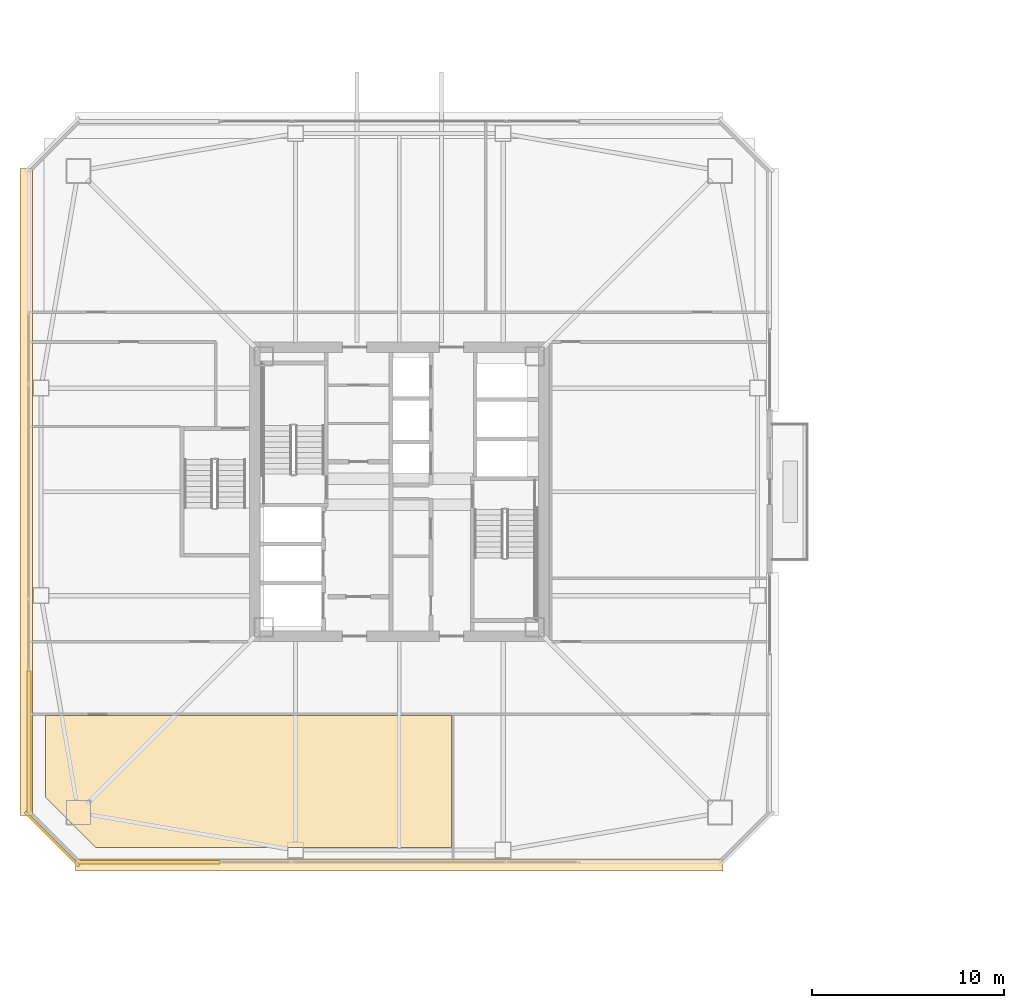
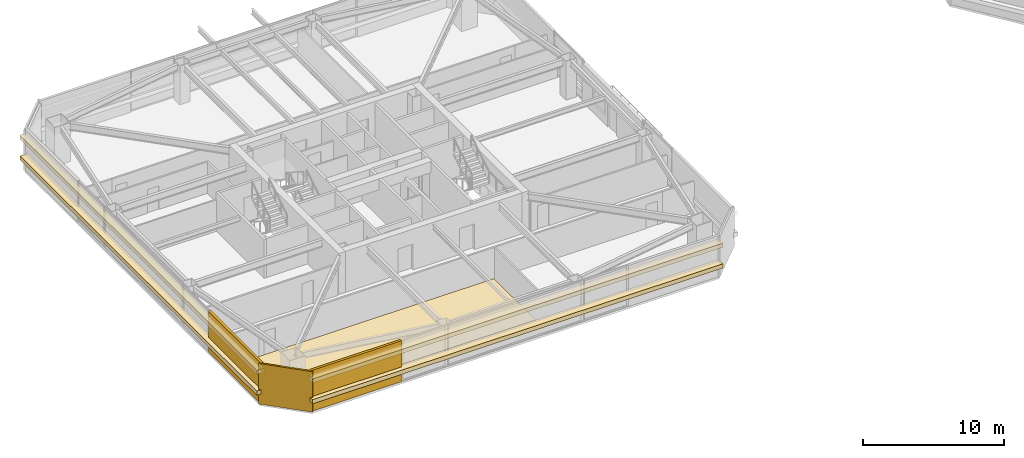
# One storey, part 35 of 40: 8 coverings.
"""IFC4 building model written with IfcOpenShell, lengths in metres."""

from ifc_helpers import new_model, si_unit, direction, frame, origin, origin_2d, place, context, subcontext, project, spatial, polyline, rectangle, outline, extrude, material, layer, layer_set, type_object, element, save


model = new_model("IFC4")

# Units and contexts
model_context = context("Model", 3, precision=1e-05, world=origin(), true_north=direction((0.0, 1.0)))
body_context = subcontext(model_context, "Body", "Model", "MODEL_VIEW")
ifc_project = project(units=[si_unit("LENGTHUNIT", "METRE"), si_unit("AREAUNIT", "SQUARE_METRE"), si_unit("VOLUMEUNIT", "CUBIC_METRE"), si_unit("PLANEANGLEUNIT", "RADIAN"), si_unit("MASSUNIT", "GRAM", prefix="KILO")], contexts=[model_context])

# Site, building, storey
site_placement = place(None, origin())
site = spatial("IfcSite", under=ifc_project, at=site_placement, CompositionType="ELEMENT")
building_placement = place(site_placement, origin())
building = spatial("IfcBuilding", under=site, at=building_placement, Name="Tashvorn Skyway Center", CompositionType="ELEMENT")
storey_placement = place(building_placement, frame((0.0, 0.0, 142.800048828125)))
storey = spatial("IfcBuildingStorey", under=building, at=storey_placement, Name="L38", CompositionType="ELEMENT", Elevation=142.800048828125)

# Coverings
ifc_material_1 = material(Name="Precast concrete C40/50", Category="concrete")
ifc_layer_1 = layer(ifc_material_1, 0.199951171875)
ifc_layer_set_1 = layer_set([ifc_layer_1], Name="Precast concrete C40/50")
covering_type_1 = type_object("IfcCoveringType", Name="COV-BRACE-CLAD", PredefinedType="CLADDING", material=ifc_layer_set_1)
for number, where, z_axis, x_axis, name in (
    (1, (28.948974609375, 12.719970703125, 0.0), (0.0, 0.0, 1.0), (-1.0, 0.0, 0.0), "Tower 1 L38 South Unitised Curtain Wall Mega-Brace Cladding Band 2"),
    (2, (22.719970703125, 18.948974609375, 0.0), (0.0, 0.0, 1.0), (0.0, 1.0, 0.0), "Tower 1 L38 West Unitised Curtain Wall Mega-Brace Cladding Band 1"),
):
    element("IfcCovering", number, at=place(storey_placement, frame(where, z_axis=z_axis, x_axis=x_axis)), inside=storey, type_object=covering_type_1, Name=name, PredefinedType="CLADDING", context=body_context, shape_type="SweptSolid", body=[
        extrude(rectangle(XDim=7.457763671875, YDim=0.199951171875, at=origin_2d()), origin(), (0.0, 0.0, 1.0), 3.550048828125),
    ])
ifc_material_2 = material(Name="Polished Mojave desert-aggregate terrazzo and cover plate")
ifc_layer_2 = layer(ifc_material_2, 0.0400390625)
ifc_layer_set_2 = layer_set([ifc_layer_2], Name="Polished Mojave desert-aggregate terrazzo and cover plate")
covering_type_2 = type_object("IfcCoveringType", Name="COV-FLR-40", PredefinedType="FLOORING", material=ifc_layer_set_2)
covering_1_placement = place(storey_placement, origin())
element("IfcCovering", 3, at=covering_1_placement, inside=storey, type_object=covering_type_2, Name="Tower 1 L38 Wellness Clinic Finish Flooring", PredefinedType="FLOORING", context=body_context, shape_type="SweptSolid", body=[
    extrude(outline(polyline([(26.199951171875, 13.5), (23.580078125, 16.1201171875), (23.580078125, 20.35009765625), (44.719970703125, 20.35009765625), (44.719970703125, 13.5), (26.199951171875, 13.5)])), origin(), (0.0, 0.0, 1.0), 0.0400390625),
])
ifc_material_3 = material(Name="Perforated ceramic-coated bronze aluminium solar screen", Category="aluminium")
ifc_layer_3 = layer(ifc_material_3, 0.85009765625)
ifc_layer_set_3 = layer_set([ifc_layer_3], Name="Perforated ceramic-coated bronze aluminium solar screen")
covering_type_3 = type_object("IfcCoveringType", Name="COV-SOLAR-BAND", PredefinedType="CLADDING", material=ifc_layer_set_3)
for number, where, z_axis, x_axis, name in (
    (4, (42.0, 12.580078125, 0.919921875), (0.0, 0.0, 1.0), (-1.0, 0.0, 0.0), "L38 Perforated Ceramic-Metal Solar Screen Louvre Band South 1"),
    (5, (42.0, 12.580078125, 2.7197265625), (0.0, 0.0, 1.0), (-1.0, 0.0, 0.0), "L38 Perforated Ceramic-Metal Solar Screen Louvre Band South 2"),
    (6, (22.580078125, 32.0, 0.919921875), (0.0, 0.0, 1.0), (0.0, 1.0, 0.0), "L38 Perforated Ceramic-Metal Solar Screen Louvre Band West 1"),
    (7, (22.580078125, 32.0, 2.7197265625), (0.0, 0.0, 1.0), (0.0, 1.0, 0.0), "L38 Perforated Ceramic-Metal Solar Screen Louvre Band West 2"),
):
    element("IfcCovering", number, at=place(storey_placement, frame(where, z_axis=z_axis, x_axis=x_axis)), inside=storey, type_object=covering_type_3, Name=name, PredefinedType="CLADDING", context=body_context, shape_type="SweptSolid", body=[
        extrude(rectangle(XDim=33.679931640625, YDim=0.639892578125, at=origin_2d()), origin(), (0.0, 0.0, 1.0), 0.360107421875),
    ])
ifc_layer_4 = layer(ifc_material_1, 0.35009765625)
ifc_layer_set_4 = layer_set([ifc_layer_4], Name="Precast concrete C40/50")
covering_type_4 = type_object("IfcCoveringType", Name="COV-STONE-TRIM", PredefinedType="CLADDING", material=ifc_layer_set_4)
covering_2_placement = place(storey_placement, frame((23.929931640625, 13.929931640625, 0.02001953125), z_axis=(0.0, 0.0, 1.0), x_axis=(-0.707106781187, 0.707106781187, 0.0)))
element("IfcCovering", 8, at=covering_2_placement, inside=storey, type_object=covering_type_4, Name="Tower 1 L38 SW Mojave Limestone Corner Quoin", PredefinedType="CLADDING", context=body_context, shape_type="SweptSolid", body=[
    extrude(rectangle(XDim=3.978515625, YDim=0.139892578125, at=origin_2d()), origin(), (0.0, 0.0, 1.0), 3.510009765625),
])

save(model, "model.ifc")
